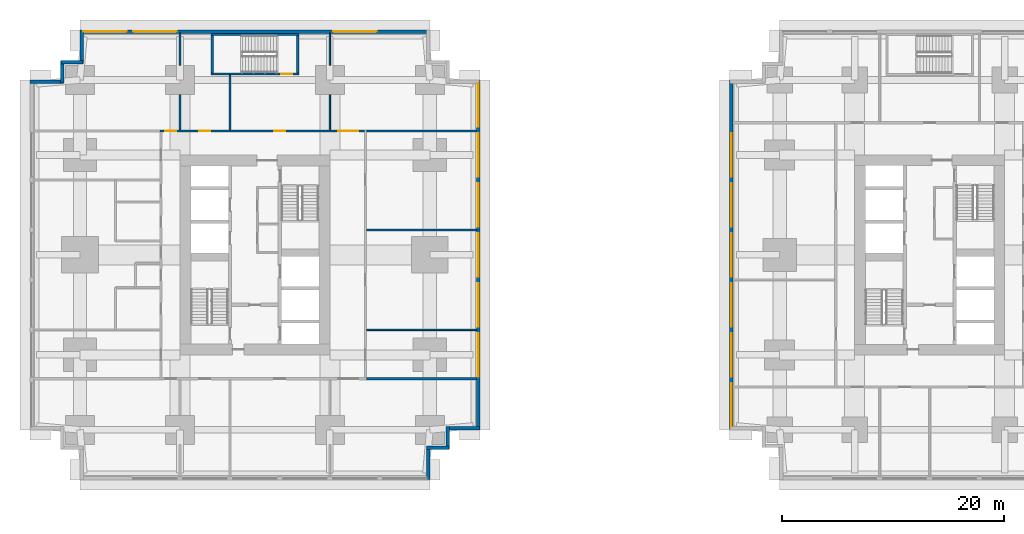
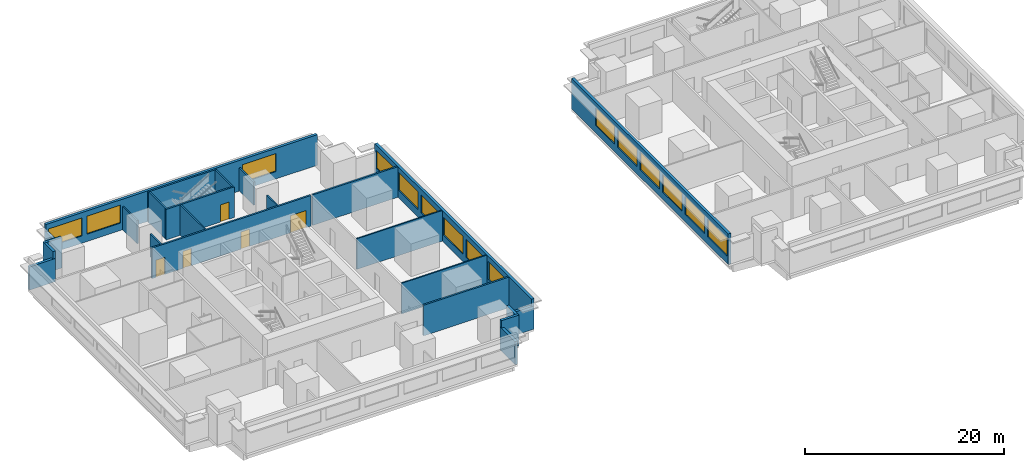
# One storey, part 5 of 11: 25 walls, 15 windows, 5 doors, 20 openings.
"""IFC4 building model written with IfcOpenShell, lengths in metres."""

from ifc_helpers import new_model, si_unit, direction, frame, frame_2d, origin, place, context, subcontext, project, spatial, rectangle, extrude, material, layer, layer_set, type_object, element, fill, save


model = new_model("IFC4")

# Units and contexts
model_context = context("Model", 3, precision=1e-05, world=origin(), true_north=direction((0.0, 1.0)))
body_context = subcontext(model_context, "Body", "Model", "MODEL_VIEW")
ifc_project = project(units=[si_unit("LENGTHUNIT", "METRE"), si_unit("AREAUNIT", "SQUARE_METRE"), si_unit("VOLUMEUNIT", "CUBIC_METRE"), si_unit("PLANEANGLEUNIT", "RADIAN"), si_unit("MASSUNIT", "GRAM", prefix="KILO")], contexts=[model_context])

# Site, building, storey
site_placement = place(None, origin())
site = spatial("IfcSite", under=ifc_project, at=site_placement, CompositionType="ELEMENT")
building_placement = place(site_placement, origin())
building = spatial("IfcBuilding", under=site, at=building_placement, Name="Namib Vertical Campus", CompositionType="ELEMENT")
storey_placement = place(building_placement, frame((0.0, 0.0, 37.0)))
storey = spatial("IfcBuildingStorey", under=building, at=storey_placement, Name="L08", CompositionType="ELEMENT", Elevation=37.0)

# Wall, openings, doors
ifc_material_1 = material(Name="Concrete masonry", Category="masonry")
ifc_layer_1 = layer(ifc_material_1, 0.199951171875)
ifc_layer_set_1 = layer_set([ifc_layer_1], Name="Corridor wall 200")
wall_type_1 = type_object("IfcWallType", Name="Corridor wall 200", PredefinedType="SOLIDWALL", material=ifc_layer_set_1)
wall_1_placement = place(storey_placement, frame((30.10009765625, 31.39990234375, 0.0), z_axis=(0.0, 0.0, 1.0), x_axis=(-1.0, 0.0, 0.0)))
wall_1 = element("IfcWall", 1, at=wall_1_placement, inside=storey, type_object=wall_type_1, Name="Corridor wall A L08 CN", PredefinedType="SOLIDWALL", context=body_context, shape_type="SweptSolid", body=[
    extrude(rectangle(XDim=18.400146484375, YDim=0.199951171875, at=frame_2d((9.2001953125, 0.0))), origin(), (0.0, 0.0, 1.0), 3.75),
])
opening_1_placement = place(wall_1_placement, frame((16.925048828125, 0.0, 0.0)))
opening_1 = element("IfcOpeningElement", 2, at=opening_1_placement, cuts=wall_1, Name="Opening CD1", PredefinedType="OPENING", context=body_context, shape_type="SweptSolid", body=[
    extrude(rectangle(XDim=1.0, YDim=2.10009765625, at=frame_2d((0.5, 1.050048828125))), frame((0.0, 0.10986328125, 0.0), z_axis=(0.0, -1.0, 0.0), x_axis=(1.0, 0.0, 0.0)), (0.0, 0.0, 1.0), 0.219970703125),
])
opening_2_placement = place(wall_1_placement, frame((13.85009765625, 0.0, 0.0)))
opening_2 = element("IfcOpeningElement", 3, at=opening_2_placement, cuts=wall_1, Name="Opening CD1", PredefinedType="OPENING", context=body_context, shape_type="SweptSolid", body=[
    extrude(rectangle(XDim=1.0, YDim=2.10009765625, at=frame_2d((0.5, 1.050048828125))), frame((0.0, 0.10986328125, 0.0), z_axis=(0.0, -1.0, 0.0), x_axis=(1.0, 0.0, 0.0)), (0.0, 0.0, 1.0), 0.219970703125),
])
opening_3_placement = place(wall_1_placement, frame((7.10009765625, 0.0, 0.0)))
opening_3 = element("IfcOpeningElement", 4, at=opening_3_placement, cuts=wall_1, Name="Opening CD4", PredefinedType="OPENING", context=body_context, shape_type="SweptSolid", body=[
    extrude(rectangle(XDim=1.0, YDim=2.10009765625, at=frame_2d((0.5, 1.050048828125))), frame((0.0, 0.10986328125, 0.0), z_axis=(0.0, -1.0, 0.0), x_axis=(1.0, 0.0, 0.0)), (0.0, 0.0, 1.0), 0.219970703125),
])
opening_4_placement = place(wall_1_placement, frame((0.550048828125, 0.0, 0.0)))
opening_4 = element("IfcOpeningElement", 5, at=opening_4_placement, cuts=wall_1, Name="Opening CD2", PredefinedType="OPENING", context=body_context, shape_type="SweptSolid", body=[
    extrude(rectangle(XDim=1.800048828125, YDim=2.10009765625, at=frame_2d((0.89990234375, 1.050048828125))), frame((0.0, 0.10986328125, 0.0), z_axis=(0.0, -1.0, 0.0), x_axis=(1.0, 0.0, 0.0)), (0.0, 0.0, 1.0), 0.219970703125),
])
ifc_material_2 = material(Name="Timber fire door leaf", Category="wood")
door_type_1 = type_object("IfcDoorType", Name="Corridor door 1000x2100 20 min", OperationType="SINGLE_SWING_LEFT", PredefinedType="DOOR", material=ifc_material_2)
door_1_placement = place(opening_1_placement, frame((1.0, 0.0, 0.0), z_axis=(0.0, 0.0, 1.0), x_axis=(-1.0, 0.0, 0.0)))
door_1 = element("IfcDoor", 6, at=door_1_placement, inside=storey, type_object=door_type_1, Name="Door CD1 A08-08", OperationType="SINGLE_SWING_RIGHT", OverallHeight=2.10009765625, OverallWidth=1.0, PredefinedType="DOOR", context=body_context, shape_type="SweptSolid", body=[
    extrude(rectangle(XDim=1.0, YDim=2.10009765625, at=frame_2d((0.5, 1.050048828125))), frame((0.0, 0.02490234375, 0.0), z_axis=(0.0, -1.0, 0.0), x_axis=(1.0, 0.0, 0.0)), (0.0, 0.0, 1.0), 0.050048828125),
])
fill(opening_1, door_1)
door_2_placement = place(opening_2_placement, frame((1.0, 0.0, 0.0), z_axis=(0.0, 0.0, 1.0), x_axis=(-1.0, 0.0, 0.0)))
door_2 = element("IfcDoor", 7, at=door_2_placement, inside=storey, type_object=door_type_1, Name="Door CD1 A08-09", OperationType="SINGLE_SWING_RIGHT", OverallHeight=2.10009765625, OverallWidth=1.0, PredefinedType="DOOR", context=body_context, shape_type="SweptSolid", body=[
    extrude(rectangle(XDim=1.0, YDim=2.10009765625, at=frame_2d((0.5, 1.050048828125))), frame((0.0, 0.02490234375, 0.0), z_axis=(0.0, -1.0, 0.0), x_axis=(1.0, 0.0, 0.0)), (0.0, 0.0, 1.0), 0.050048828125),
])
fill(opening_2, door_2)
ifc_material_3 = material(Name="Timber fire door leaf", Category="wood")
door_type_2 = type_object("IfcDoorType", Name="Corridor door 1000x2100 20 min double-acting", OperationType="DOUBLE_SWING_LEFT", PredefinedType="DOOR", material=ifc_material_3)
door_3_placement = place(opening_3_placement, origin())
door_3 = element("IfcDoor", 8, at=door_3_placement, inside=storey, type_object=door_type_2, Name="Door CD4 A08-10", OperationType="DOUBLE_SWING_LEFT", OverallHeight=2.10009765625, OverallWidth=1.0, PredefinedType="DOOR", context=body_context, shape_type="SweptSolid", body=[
    extrude(rectangle(XDim=1.0, YDim=2.10009765625, at=frame_2d((0.5, 1.050048828125))), frame((0.0, 0.02490234375, 0.0), z_axis=(0.0, -1.0, 0.0), x_axis=(1.0, 0.0, 0.0)), (0.0, 0.0, 1.0), 0.050048828125),
])
fill(opening_3, door_3)
ifc_material_4 = material(Name="Timber fire door leaf", Category="wood")
door_type_3 = type_object("IfcDoorType", Name="Corridor door double 1800x2100 20 min", OperationType="DOUBLE_DOOR_SINGLE_SWING", PredefinedType="DOOR", material=ifc_material_4)
door_4_placement = place(opening_4_placement, frame((1.800048828125, 0.0, 0.0), z_axis=(0.0, 0.0, 1.0), x_axis=(-1.0, 0.0, 0.0)))
door_4 = element("IfcDoor", 9, at=door_4_placement, inside=storey, type_object=door_type_3, Name="Door CD2 A08-11", OperationType="DOUBLE_DOOR_SINGLE_SWING", OverallHeight=2.10009765625, OverallWidth=1.800048828125, PredefinedType="DOOR", context=body_context, shape_type="SweptSolid", body=[
    extrude(rectangle(XDim=1.800048828125, YDim=2.10009765625, at=frame_2d((0.89990234375, 1.050048828125))), frame((0.0, 0.02490234375, 0.0), z_axis=(0.0, -1.0, 0.0), x_axis=(1.0, 0.0, 0.0)), (0.0, 0.0, 1.0), 0.050048828125),
])
fill(opening_4, door_4)

# Walls
for number, where, z_axis, x_axis, name in (
    (10, (30.300048828125, 9.10009765625, 0.0), (0.0, 0.0, 1.0), (1.0, 0.0, 0.0), "Partition A L08 BSE"),
    (11, (30.300048828125, 31.39990234375, 0.0), (0.0, 0.0, 1.0), (1.0, 0.0, 0.0), "Partition A L08 BNE"),
):
    element("IfcWall", number, at=place(storey_placement, frame(where, z_axis=z_axis, x_axis=x_axis)), inside=storey, type_object=wall_type_1, Name=name, PredefinedType="SOLIDWALL", context=body_context, shape_type="SweptSolid", body=[
        extrude(rectangle(XDim=9.89990234375, YDim=0.199951171875, at=frame_2d((4.949951171875, 0.0))), origin(), (0.0, 0.0, 1.0), 3.75),
    ])
ifc_material_5 = material(Name="Concrete C40/50", Category="concrete")
ifc_layer_2 = layer(ifc_material_5, 0.300048828125)
ifc_layer_set_2 = layer_set([ifc_layer_2], Name="Concrete C40/50")
wall_type_2 = type_object("IfcWallType", Name="External wall 300 board-marked concrete", PredefinedType="STANDARD", material=ifc_layer_set_2)
wall_2_placement = place(storey_placement, frame((35.85009765625, 0.02001953125, 0.0), z_axis=(0.0, 0.0, 1.0), x_axis=(0.0, 1.0, 0.0)))
element("IfcWall", 12, at=wall_2_placement, inside=storey, type_object=wall_type_2, Name="External wall L08 F02", PredefinedType="STANDARD", context=body_context, shape_type="SweptSolid", body=[
    extrude(rectangle(XDim=3.010009765625, YDim=0.300048828125, at=frame_2d((1.5048828125, 0.0))), origin(), (0.0, 0.0, 1.0), 2.85009765625),
])
for number, where, z_axis, x_axis, name in (
    (13, (35.719970703125, 2.89990234375, 0.0), (0.0, 0.0, 1.0), (1.0, 0.0, 0.0), "External wall L08 F03"),
    (14, (37.60009765625, 2.77001953125, 0.0), (0.0, 0.0, 1.0), (0.0, 1.0, 0.0), "External wall L08 F04"),
):
    element("IfcWall", number, at=place(storey_placement, frame(where, z_axis=z_axis, x_axis=x_axis)), inside=storey, type_object=wall_type_2, Name=name, PredefinedType="STANDARD", context=body_context, shape_type="SweptSolid", body=[
        extrude(rectangle(XDim=2.010009765625, YDim=0.300048828125, at=frame_2d((1.0048828125, 0.0))), origin(), (0.0, 0.0, 1.0), 3.75),
    ])
wall_3_placement = place(storey_placement, frame((37.469970703125, 4.64990234375, 0.0), z_axis=(0.0, 0.0, 1.0), x_axis=(1.0, 0.0, 0.0)))
element("IfcWall", 15, at=wall_3_placement, inside=storey, type_object=wall_type_2, Name="External wall L08 F05", PredefinedType="STANDARD", context=body_context, shape_type="SweptSolid", body=[
    extrude(rectangle(XDim=3.010009765625, YDim=0.300048828125, at=frame_2d((1.5048828125, 0.0))), origin(), (0.0, 0.0, 1.0), 2.85009765625),
])

# Wall, openings, windows
wall_4_placement = place(storey_placement, frame((40.35009765625, 4.52001953125, 0.0), z_axis=(0.0, 0.0, 1.0), x_axis=(0.0, 1.0, 0.0)))
wall_4 = element("IfcWall", 16, at=wall_4_placement, inside=storey, type_object=wall_type_2, Name="External wall L08 F06", PredefinedType="STANDARD", context=body_context, shape_type="SweptSolid", body=[
    extrude(rectangle(XDim=31.4599609375, YDim=0.300048828125, at=frame_2d((15.72998046875, 0.0))), origin(), (0.0, 0.0, 1.0), 3.75),
])
opening_5_placement = place(wall_4_placement, frame((4.780029296875, 0.0, 0.89990234375)))
opening_5 = element("IfcOpeningElement", 17, at=opening_5_placement, cuts=wall_4, Name="Opening W1", PredefinedType="OPENING", context=body_context, shape_type="SweptSolid", body=[
    extrude(rectangle(XDim=3.89990234375, YDim=2.199951171875, at=frame_2d((1.949951171875, 1.10009765625))), frame((0.0, 0.159912109375, 0.0), z_axis=(0.0, -1.0, 0.0), x_axis=(1.0, 0.0, 0.0)), (0.0, 0.0, 1.0), 0.320068359375),
])
opening_6_placement = place(wall_4_placement, frame((9.280029296875, 0.0, 0.89990234375)))
opening_6 = element("IfcOpeningElement", 18, at=opening_6_placement, cuts=wall_4, Name="Opening W1", PredefinedType="OPENING", context=body_context, shape_type="SweptSolid", body=[
    extrude(rectangle(XDim=3.89990234375, YDim=2.199951171875, at=frame_2d((1.949951171875, 1.10009765625))), frame((0.0, 0.159912109375, 0.0), z_axis=(0.0, -1.0, 0.0), x_axis=(1.0, 0.0, 0.0)), (0.0, 0.0, 1.0), 0.320068359375),
])
opening_7_placement = place(wall_4_placement, frame((13.780029296875, 0.0, 0.89990234375)))
opening_7 = element("IfcOpeningElement", 19, at=opening_7_placement, cuts=wall_4, Name="Opening W1", PredefinedType="OPENING", context=body_context, shape_type="SweptSolid", body=[
    extrude(rectangle(XDim=3.89990234375, YDim=2.199951171875, at=frame_2d((1.949951171875, 1.10009765625))), frame((0.0, 0.159912109375, 0.0), z_axis=(0.0, -1.0, 0.0), x_axis=(1.0, 0.0, 0.0)), (0.0, 0.0, 1.0), 0.320068359375),
])
opening_8_placement = place(wall_4_placement, frame((18.280029296875, 0.0, 0.89990234375)))
opening_8 = element("IfcOpeningElement", 20, at=opening_8_placement, cuts=wall_4, Name="Opening W1", PredefinedType="OPENING", context=body_context, shape_type="SweptSolid", body=[
    extrude(rectangle(XDim=3.89990234375, YDim=2.199951171875, at=frame_2d((1.949951171875, 1.10009765625))), frame((0.0, 0.159912109375, 0.0), z_axis=(0.0, -1.0, 0.0), x_axis=(1.0, 0.0, 0.0)), (0.0, 0.0, 1.0), 0.320068359375),
])
opening_9_placement = place(wall_4_placement, frame((22.780029296875, 0.0, 0.89990234375)))
opening_9 = element("IfcOpeningElement", 21, at=opening_9_placement, cuts=wall_4, Name="Opening W1", PredefinedType="OPENING", context=body_context, shape_type="SweptSolid", body=[
    extrude(rectangle(XDim=3.89990234375, YDim=2.199951171875, at=frame_2d((1.949951171875, 1.10009765625))), frame((0.0, 0.159912109375, 0.0), z_axis=(0.0, -1.0, 0.0), x_axis=(1.0, 0.0, 0.0)), (0.0, 0.0, 1.0), 0.320068359375),
])
opening_10_placement = place(wall_4_placement, frame((27.280029296875, 0.0, 0.89990234375)))
opening_10 = element("IfcOpeningElement", 22, at=opening_10_placement, cuts=wall_4, Name="Opening W1", PredefinedType="OPENING", context=body_context, shape_type="SweptSolid", body=[
    extrude(rectangle(XDim=3.89990234375, YDim=2.199951171875, at=frame_2d((1.949951171875, 1.10009765625))), frame((0.0, 0.159912109375, 0.0), z_axis=(0.0, -1.0, 0.0), x_axis=(1.0, 0.0, 0.0)), (0.0, 0.0, 1.0), 0.320068359375),
])
ifc_material_6 = material(Name="Dark tinted glass in black aluminium frame", Category="aluminium")
window_type = type_object("IfcWindowType", Name="Ribbon window 3900x2200", PartitioningType="SINGLE_PANEL", PredefinedType="WINDOW", material=ifc_material_6)
window_1_placement = place(opening_5_placement, origin())
window_1 = element("IfcWindow", 23, at=window_1_placement, inside=storey, type_object=window_type, Name="Window W1 L08 F06-2", OverallHeight=2.199951171875, OverallWidth=3.89990234375, PartitioningType="SINGLE_PANEL", PredefinedType="WINDOW", context=body_context, shape_type="SweptSolid", body=[
    extrude(rectangle(XDim=3.89990234375, YDim=2.199951171875, at=frame_2d((1.949951171875, 1.10009765625))), frame((0.0, 0.030029296875, 0.0), z_axis=(0.0, -1.0, 0.0), x_axis=(1.0, 0.0, 0.0)), (0.0, 0.0, 1.0), 0.06005859375),
])
fill(opening_5, window_1)
window_2_placement = place(opening_6_placement, origin())
window_2 = element("IfcWindow", 24, at=window_2_placement, inside=storey, type_object=window_type, Name="Window W1 L08 F06-3", OverallHeight=2.199951171875, OverallWidth=3.89990234375, PartitioningType="SINGLE_PANEL", PredefinedType="WINDOW", context=body_context, shape_type="SweptSolid", body=[
    extrude(rectangle(XDim=3.89990234375, YDim=2.199951171875, at=frame_2d((1.949951171875, 1.10009765625))), frame((0.0, 0.030029296875, 0.0), z_axis=(0.0, -1.0, 0.0), x_axis=(1.0, 0.0, 0.0)), (0.0, 0.0, 1.0), 0.06005859375),
])
fill(opening_6, window_2)
window_3_placement = place(opening_7_placement, origin())
window_3 = element("IfcWindow", 25, at=window_3_placement, inside=storey, type_object=window_type, Name="Window W1 L08 F06-4", OverallHeight=2.199951171875, OverallWidth=3.89990234375, PartitioningType="SINGLE_PANEL", PredefinedType="WINDOW", context=body_context, shape_type="SweptSolid", body=[
    extrude(rectangle(XDim=3.89990234375, YDim=2.199951171875, at=frame_2d((1.949951171875, 1.10009765625))), frame((0.0, 0.030029296875, 0.0), z_axis=(0.0, -1.0, 0.0), x_axis=(1.0, 0.0, 0.0)), (0.0, 0.0, 1.0), 0.06005859375),
])
fill(opening_7, window_3)
window_4_placement = place(opening_8_placement, origin())
window_4 = element("IfcWindow", 26, at=window_4_placement, inside=storey, type_object=window_type, Name="Window W1 L08 F06-5", OverallHeight=2.199951171875, OverallWidth=3.89990234375, PartitioningType="SINGLE_PANEL", PredefinedType="WINDOW", context=body_context, shape_type="SweptSolid", body=[
    extrude(rectangle(XDim=3.89990234375, YDim=2.199951171875, at=frame_2d((1.949951171875, 1.10009765625))), frame((0.0, 0.030029296875, 0.0), z_axis=(0.0, -1.0, 0.0), x_axis=(1.0, 0.0, 0.0)), (0.0, 0.0, 1.0), 0.06005859375),
])
fill(opening_8, window_4)
window_5_placement = place(opening_9_placement, origin())
window_5 = element("IfcWindow", 27, at=window_5_placement, inside=storey, type_object=window_type, Name="Window W1 L08 F06-6", OverallHeight=2.199951171875, OverallWidth=3.89990234375, PartitioningType="SINGLE_PANEL", PredefinedType="WINDOW", context=body_context, shape_type="SweptSolid", body=[
    extrude(rectangle(XDim=3.89990234375, YDim=2.199951171875, at=frame_2d((1.949951171875, 1.10009765625))), frame((0.0, 0.030029296875, 0.0), z_axis=(0.0, -1.0, 0.0), x_axis=(1.0, 0.0, 0.0)), (0.0, 0.0, 1.0), 0.06005859375),
])
fill(opening_9, window_5)
window_6_placement = place(opening_10_placement, origin())
window_6 = element("IfcWindow", 28, at=window_6_placement, inside=storey, type_object=window_type, Name="Window W1 L08 F06-7", OverallHeight=2.199951171875, OverallWidth=3.89990234375, PartitioningType="SINGLE_PANEL", PredefinedType="WINDOW", context=body_context, shape_type="SweptSolid", body=[
    extrude(rectangle(XDim=3.89990234375, YDim=2.199951171875, at=frame_2d((1.949951171875, 1.10009765625))), frame((0.0, 0.030029296875, 0.0), z_axis=(0.0, -1.0, 0.0), x_axis=(1.0, 0.0, 0.0)), (0.0, 0.0, 1.0), 0.06005859375),
])
fill(opening_10, window_6)

wall_5_placement = place(storey_placement, frame((35.97998046875, 40.35009765625, 0.0), z_axis=(0.0, 0.0, 1.0), x_axis=(-1.0, 0.0, 0.0)))
wall_5 = element("IfcWall", 29, at=wall_5_placement, inside=storey, type_object=wall_type_2, Name="External wall L08 F11", PredefinedType="STANDARD", context=body_context, shape_type="SweptSolid", body=[
    extrude(rectangle(XDim=31.4599609375, YDim=0.300048828125, at=frame_2d((15.72998046875, 0.0))), origin(), (0.0, 0.0, 1.0), 3.75),
])
opening_11_placement = place(wall_5_placement, frame((27.280029296875, 0.0, 0.89990234375)))
opening_11 = element("IfcOpeningElement", 30, at=opening_11_placement, cuts=wall_5, Name="Opening W1", PredefinedType="OPENING", context=body_context, shape_type="SweptSolid", body=[
    extrude(rectangle(XDim=3.89990234375, YDim=2.199951171875, at=frame_2d((1.949951171875, 1.10009765625))), frame((0.0, 0.159912109375, 0.0), z_axis=(0.0, -1.0, 0.0), x_axis=(1.0, 0.0, 0.0)), (0.0, 0.0, 1.0), 0.320068359375),
])
opening_12_placement = place(wall_5_placement, frame((22.780029296875, 0.0, 0.89990234375)))
opening_12 = element("IfcOpeningElement", 31, at=opening_12_placement, cuts=wall_5, Name="Opening W1", PredefinedType="OPENING", context=body_context, shape_type="SweptSolid", body=[
    extrude(rectangle(XDim=3.89990234375, YDim=2.199951171875, at=frame_2d((1.949951171875, 1.10009765625))), frame((0.0, 0.159912109375, 0.0), z_axis=(0.0, -1.0, 0.0), x_axis=(1.0, 0.0, 0.0)), (0.0, 0.0, 1.0), 0.320068359375),
])
opening_13_placement = place(wall_5_placement, frame((4.780029296875, 0.0, 0.89990234375)))
opening_13 = element("IfcOpeningElement", 32, at=opening_13_placement, cuts=wall_5, Name="Opening W1", PredefinedType="OPENING", context=body_context, shape_type="SweptSolid", body=[
    extrude(rectangle(XDim=3.89990234375, YDim=2.199951171875, at=frame_2d((1.949951171875, 1.10009765625))), frame((0.0, 0.159912109375, 0.0), z_axis=(0.0, -1.0, 0.0), x_axis=(1.0, 0.0, 0.0)), (0.0, 0.0, 1.0), 0.320068359375),
])
window_7_placement = place(opening_11_placement, origin())
window_7 = element("IfcWindow", 33, at=window_7_placement, inside=storey, type_object=window_type, Name="Window W1 L08 F11-1", OverallHeight=2.199951171875, OverallWidth=3.89990234375, PartitioningType="SINGLE_PANEL", PredefinedType="WINDOW", context=body_context, shape_type="SweptSolid", body=[
    extrude(rectangle(XDim=3.89990234375, YDim=2.199951171875, at=frame_2d((1.949951171875, 1.10009765625))), frame((0.0, 0.030029296875, 0.0), z_axis=(0.0, -1.0, 0.0), x_axis=(1.0, 0.0, 0.0)), (0.0, 0.0, 1.0), 0.06005859375),
])
fill(opening_11, window_7)
window_8_placement = place(opening_12_placement, origin())
window_8 = element("IfcWindow", 34, at=window_8_placement, inside=storey, type_object=window_type, Name="Window W1 L08 F11-2", OverallHeight=2.199951171875, OverallWidth=3.89990234375, PartitioningType="SINGLE_PANEL", PredefinedType="WINDOW", context=body_context, shape_type="SweptSolid", body=[
    extrude(rectangle(XDim=3.89990234375, YDim=2.199951171875, at=frame_2d((1.949951171875, 1.10009765625))), frame((0.0, 0.030029296875, 0.0), z_axis=(0.0, -1.0, 0.0), x_axis=(1.0, 0.0, 0.0)), (0.0, 0.0, 1.0), 0.06005859375),
])
fill(opening_12, window_8)
window_9_placement = place(opening_13_placement, origin())
window_9 = element("IfcWindow", 35, at=window_9_placement, inside=storey, type_object=window_type, Name="Window W1 L08 F11-6", OverallHeight=2.199951171875, OverallWidth=3.89990234375, PartitioningType="SINGLE_PANEL", PredefinedType="WINDOW", context=body_context, shape_type="SweptSolid", body=[
    extrude(rectangle(XDim=3.89990234375, YDim=2.199951171875, at=frame_2d((1.949951171875, 1.10009765625))), frame((0.0, 0.030029296875, 0.0), z_axis=(0.0, -1.0, 0.0), x_axis=(1.0, 0.0, 0.0)), (0.0, 0.0, 1.0), 0.06005859375),
])
fill(opening_13, window_9)

# Walls
wall_6_placement = place(storey_placement, frame((4.64990234375, 40.47998046875, 0.0), z_axis=(0.0, 0.0, 1.0), x_axis=(0.0, -1.0, 0.0)))
element("IfcWall", 36, at=wall_6_placement, inside=storey, type_object=wall_type_2, Name="External wall L08 F12", PredefinedType="STANDARD", context=body_context, shape_type="SweptSolid", body=[
    extrude(rectangle(XDim=3.010009765625, YDim=0.300048828125, at=frame_2d((1.5048828125, 0.0))), origin(), (0.0, 0.0, 1.0), 2.85009765625),
])
for number, where, z_axis, x_axis, name in (
    (37, (4.780029296875, 37.60009765625, 0.0), (0.0, 0.0, 1.0), (-1.0, 0.0, 0.0), "External wall L08 F13"),
    (38, (2.89990234375, 37.72998046875, 0.0), (0.0, 0.0, 1.0), (0.0, -1.0, 0.0), "External wall L08 F14"),
):
    element("IfcWall", number, at=place(storey_placement, frame(where, z_axis=z_axis, x_axis=x_axis)), inside=storey, type_object=wall_type_2, Name=name, PredefinedType="STANDARD", context=body_context, shape_type="SweptSolid", body=[
        extrude(rectangle(XDim=2.010009765625, YDim=0.300048828125, at=frame_2d((1.0048828125, 0.0))), origin(), (0.0, 0.0, 1.0), 3.75),
    ])
wall_7_placement = place(storey_placement, frame((3.030029296875, 35.85009765625, 0.0), z_axis=(0.0, 0.0, 1.0), x_axis=(-1.0, 0.0, 0.0)))
element("IfcWall", 39, at=wall_7_placement, inside=storey, type_object=wall_type_2, Name="External wall L08 F15", PredefinedType="STANDARD", context=body_context, shape_type="SweptSolid", body=[
    extrude(rectangle(XDim=3.010009765625, YDim=0.300048828125, at=frame_2d((1.5048828125, 0.0))), origin(), (0.0, 0.0, 1.0), 2.85009765625),
])

# Wall, openings, windows
wall_8_placement = place(storey_placement, frame((63.14990234375, 35.97998046875, 0.0), z_axis=(0.0, 0.0, 1.0), x_axis=(0.0, -1.0, 0.0)))
wall_8 = element("IfcWall", 40, at=wall_8_placement, inside=storey, type_object=wall_type_2, Name="External wall L08 F16", PredefinedType="STANDARD", context=body_context, shape_type="SweptSolid", body=[
    extrude(rectangle(XDim=31.4599609375, YDim=0.300048828125, at=frame_2d((15.72998046875, 0.0))), origin(), (0.0, 0.0, 1.0), 3.75),
])
opening_14_placement = place(wall_8_placement, frame((27.280029296875, 0.0, 0.89990234375)))
opening_14 = element("IfcOpeningElement", 41, at=opening_14_placement, cuts=wall_8, Name="Opening W1", PredefinedType="OPENING", context=body_context, shape_type="SweptSolid", body=[
    extrude(rectangle(XDim=3.89990234375, YDim=2.199951171875, at=frame_2d((1.949951171875, 1.10009765625))), frame((0.0, 0.159912109375, 0.0), z_axis=(0.0, -1.0, 0.0), x_axis=(1.0, 0.0, 0.0)), (0.0, 0.0, 1.0), 0.320068359375),
])
opening_15_placement = place(wall_8_placement, frame((22.780029296875, 0.0, 0.89990234375)))
opening_15 = element("IfcOpeningElement", 42, at=opening_15_placement, cuts=wall_8, Name="Opening W1", PredefinedType="OPENING", context=body_context, shape_type="SweptSolid", body=[
    extrude(rectangle(XDim=3.89990234375, YDim=2.199951171875, at=frame_2d((1.949951171875, 1.10009765625))), frame((0.0, 0.159912109375, 0.0), z_axis=(0.0, -1.0, 0.0), x_axis=(1.0, 0.0, 0.0)), (0.0, 0.0, 1.0), 0.320068359375),
])
opening_16_placement = place(wall_8_placement, frame((18.280029296875, 0.0, 0.89990234375)))
opening_16 = element("IfcOpeningElement", 43, at=opening_16_placement, cuts=wall_8, Name="Opening W1", PredefinedType="OPENING", context=body_context, shape_type="SweptSolid", body=[
    extrude(rectangle(XDim=3.89990234375, YDim=2.199951171875, at=frame_2d((1.949951171875, 1.10009765625))), frame((0.0, 0.159912109375, 0.0), z_axis=(0.0, -1.0, 0.0), x_axis=(1.0, 0.0, 0.0)), (0.0, 0.0, 1.0), 0.320068359375),
])
opening_17_placement = place(wall_8_placement, frame((13.780029296875, 0.0, 0.89990234375)))
opening_17 = element("IfcOpeningElement", 44, at=opening_17_placement, cuts=wall_8, Name="Opening W1", PredefinedType="OPENING", context=body_context, shape_type="SweptSolid", body=[
    extrude(rectangle(XDim=3.89990234375, YDim=2.199951171875, at=frame_2d((1.949951171875, 1.10009765625))), frame((0.0, 0.159912109375, 0.0), z_axis=(0.0, -1.0, 0.0), x_axis=(1.0, 0.0, 0.0)), (0.0, 0.0, 1.0), 0.320068359375),
])
opening_18_placement = place(wall_8_placement, frame((9.280029296875, 0.0, 0.89990234375)))
opening_18 = element("IfcOpeningElement", 45, at=opening_18_placement, cuts=wall_8, Name="Opening W1", PredefinedType="OPENING", context=body_context, shape_type="SweptSolid", body=[
    extrude(rectangle(XDim=3.89990234375, YDim=2.199951171875, at=frame_2d((1.949951171875, 1.10009765625))), frame((0.0, 0.159912109375, 0.0), z_axis=(0.0, -1.0, 0.0), x_axis=(1.0, 0.0, 0.0)), (0.0, 0.0, 1.0), 0.320068359375),
])
opening_19_placement = place(wall_8_placement, frame((4.780029296875, 0.0, 0.89990234375)))
opening_19 = element("IfcOpeningElement", 46, at=opening_19_placement, cuts=wall_8, Name="Opening W1", PredefinedType="OPENING", context=body_context, shape_type="SweptSolid", body=[
    extrude(rectangle(XDim=3.89990234375, YDim=2.199951171875, at=frame_2d((1.949951171875, 1.10009765625))), frame((0.0, 0.159912109375, 0.0), z_axis=(0.0, -1.0, 0.0), x_axis=(1.0, 0.0, 0.0)), (0.0, 0.0, 1.0), 0.320068359375),
])
window_10_placement = place(opening_14_placement, origin())
window_10 = element("IfcWindow", 47, at=window_10_placement, inside=storey, type_object=window_type, Name="Window W1 L08 F16-1", OverallHeight=2.199951171875, OverallWidth=3.89990234375, PartitioningType="SINGLE_PANEL", PredefinedType="WINDOW", context=body_context, shape_type="SweptSolid", body=[
    extrude(rectangle(XDim=3.89990234375, YDim=2.199951171875, at=frame_2d((1.949951171875, 1.10009765625))), frame((0.0, 0.030029296875, 0.0), z_axis=(0.0, -1.0, 0.0), x_axis=(1.0, 0.0, 0.0)), (0.0, 0.0, 1.0), 0.06005859375),
])
fill(opening_14, window_10)
window_11_placement = place(opening_15_placement, origin())
window_11 = element("IfcWindow", 48, at=window_11_placement, inside=storey, type_object=window_type, Name="Window W1 L08 F16-2", OverallHeight=2.199951171875, OverallWidth=3.89990234375, PartitioningType="SINGLE_PANEL", PredefinedType="WINDOW", context=body_context, shape_type="SweptSolid", body=[
    extrude(rectangle(XDim=3.89990234375, YDim=2.199951171875, at=frame_2d((1.949951171875, 1.10009765625))), frame((0.0, 0.030029296875, 0.0), z_axis=(0.0, -1.0, 0.0), x_axis=(1.0, 0.0, 0.0)), (0.0, 0.0, 1.0), 0.06005859375),
])
fill(opening_15, window_11)
window_12_placement = place(opening_16_placement, origin())
window_12 = element("IfcWindow", 49, at=window_12_placement, inside=storey, type_object=window_type, Name="Window W1 L08 F16-3", OverallHeight=2.199951171875, OverallWidth=3.89990234375, PartitioningType="SINGLE_PANEL", PredefinedType="WINDOW", context=body_context, shape_type="SweptSolid", body=[
    extrude(rectangle(XDim=3.89990234375, YDim=2.199951171875, at=frame_2d((1.949951171875, 1.10009765625))), frame((0.0, 0.030029296875, 0.0), z_axis=(0.0, -1.0, 0.0), x_axis=(1.0, 0.0, 0.0)), (0.0, 0.0, 1.0), 0.06005859375),
])
fill(opening_16, window_12)
window_13_placement = place(opening_17_placement, origin())
window_13 = element("IfcWindow", 50, at=window_13_placement, inside=storey, type_object=window_type, Name="Window W1 L08 F16-4", OverallHeight=2.199951171875, OverallWidth=3.89990234375, PartitioningType="SINGLE_PANEL", PredefinedType="WINDOW", context=body_context, shape_type="SweptSolid", body=[
    extrude(rectangle(XDim=3.89990234375, YDim=2.199951171875, at=frame_2d((1.949951171875, 1.10009765625))), frame((0.0, 0.030029296875, 0.0), z_axis=(0.0, -1.0, 0.0), x_axis=(1.0, 0.0, 0.0)), (0.0, 0.0, 1.0), 0.06005859375),
])
fill(opening_17, window_13)
window_14_placement = place(opening_18_placement, origin())
window_14 = element("IfcWindow", 51, at=window_14_placement, inside=storey, type_object=window_type, Name="Window W1 L08 F16-5", OverallHeight=2.199951171875, OverallWidth=3.89990234375, PartitioningType="SINGLE_PANEL", PredefinedType="WINDOW", context=body_context, shape_type="SweptSolid", body=[
    extrude(rectangle(XDim=3.89990234375, YDim=2.199951171875, at=frame_2d((1.949951171875, 1.10009765625))), frame((0.0, 0.030029296875, 0.0), z_axis=(0.0, -1.0, 0.0), x_axis=(1.0, 0.0, 0.0)), (0.0, 0.0, 1.0), 0.06005859375),
])
fill(opening_18, window_14)
window_15_placement = place(opening_19_placement, origin())
window_15 = element("IfcWindow", 52, at=window_15_placement, inside=storey, type_object=window_type, Name="Window W1 L08 F16-6", OverallHeight=2.199951171875, OverallWidth=3.89990234375, PartitioningType="SINGLE_PANEL", PredefinedType="WINDOW", context=body_context, shape_type="SweptSolid", body=[
    extrude(rectangle(XDim=3.89990234375, YDim=2.199951171875, at=frame_2d((1.949951171875, 1.10009765625))), frame((0.0, 0.030029296875, 0.0), z_axis=(0.0, -1.0, 0.0), x_axis=(1.0, 0.0, 0.0)), (0.0, 0.0, 1.0), 0.06005859375),
])
fill(opening_19, window_15)

# Walls
ifc_material_7 = material(Name="Gypsum board on steel studs", Category="steel")
ifc_layer_3 = layer(ifc_material_7, 0.14990234375)
ifc_layer_set_3 = layer_set([ifc_layer_3], Name="Gypsum board on steel studs")
wall_type_3 = type_object("IfcWallType", Name="Partition 150", PredefinedType="PARTITIONING", material=ifc_layer_set_3)
wall_9_placement = place(storey_placement, frame((13.5, 31.5, 0.0), z_axis=(0.0, 0.0, 1.0), x_axis=(0.0, 1.0, 0.0)))
element("IfcWall", 53, at=wall_9_placement, inside=storey, type_object=wall_type_3, Name="Partition A L08 PN1", PredefinedType="PARTITIONING", context=body_context, shape_type="SweptSolid", body=[
    extrude(rectangle(XDim=3.179931640625, YDim=0.14990234375, at=frame_2d((1.58984375, 0.0))), origin(), (0.0, 0.0, 1.0), 2.85009765625),
])
wall_10_placement = place(storey_placement, frame((13.5, 37.320068359375, 0.0), z_axis=(0.0, 0.0, 1.0), x_axis=(0.0, 1.0, 0.0)))
element("IfcWall", 54, at=wall_10_placement, inside=storey, type_object=wall_type_3, Name="Partition A L08 PN1", PredefinedType="PARTITIONING", context=body_context, shape_type="SweptSolid", body=[
    extrude(rectangle(XDim=2.8798828125, YDim=0.14990234375, at=frame_2d((1.43994140625, 0.0))), origin(), (0.0, 0.0, 1.0), 2.85009765625),
])
wall_11_placement = place(storey_placement, frame((18.0, 31.5, 0.0), z_axis=(0.0, 0.0, 1.0), x_axis=(0.0, 1.0, 0.0)))
element("IfcWall", 55, at=wall_11_placement, inside=storey, type_object=wall_type_3, Name="Partition A L08 PN2", PredefinedType="PARTITIONING", context=body_context, shape_type="SweptSolid", body=[
    extrude(rectangle(XDim=4.949951171875, YDim=0.14990234375, at=frame_2d((2.47509765625, 0.0))), origin(), (0.0, 0.0, 1.0), 3.75),
])
wall_12_placement = place(storey_placement, frame((27.0, 31.5, 0.0), z_axis=(0.0, 0.0, 1.0), x_axis=(0.0, 1.0, 0.0)))
element("IfcWall", 56, at=wall_12_placement, inside=storey, type_object=wall_type_3, Name="Partition A L08 PN3", PredefinedType="PARTITIONING", context=body_context, shape_type="SweptSolid", body=[
    extrude(rectangle(XDim=3.179931640625, YDim=0.14990234375, at=frame_2d((1.58984375, 0.0))), origin(), (0.0, 0.0, 1.0), 2.85009765625),
])
wall_13_placement = place(storey_placement, frame((27.0, 37.320068359375, 0.0), z_axis=(0.0, 0.0, 1.0), x_axis=(0.0, 1.0, 0.0)))
element("IfcWall", 57, at=wall_13_placement, inside=storey, type_object=wall_type_3, Name="Partition A L08 PN3", PredefinedType="PARTITIONING", context=body_context, shape_type="SweptSolid", body=[
    extrude(rectangle(XDim=2.8798828125, YDim=0.14990234375, at=frame_2d((1.43994140625, 0.0))), origin(), (0.0, 0.0, 1.0), 2.85009765625),
])
for number, where, z_axis, x_axis, name in (
    (58, (30.300048828125, 13.5, 0.0), (0.0, 0.0, 1.0), (1.0, 0.0, 0.0), "Partition A L08 PE1"),
    (59, (30.300048828125, 22.5, 0.0), (0.0, 0.0, 1.0), (1.0, 0.0, 0.0), "Partition A L08 PE2"),
):
    element("IfcWall", number, at=place(storey_placement, frame(where, z_axis=z_axis, x_axis=x_axis)), inside=storey, type_object=wall_type_3, Name=name, PredefinedType="PARTITIONING", context=body_context, shape_type="SweptSolid", body=[
        extrude(rectangle(XDim=9.89990234375, YDim=0.14990234375, at=frame_2d((4.949951171875, 0.0))), origin(), (0.0, 0.0, 1.0), 3.75),
    ])

# Wall, opening, door
ifc_material_8 = material(Name="Concrete C40/50", Category="concrete")
ifc_layer_4 = layer(ifc_material_8, 0.199951171875)
ifc_layer_set_4 = layer_set([ifc_layer_4], Name="Concrete C40/50")
wall_type_4 = type_object("IfcWallType", Name="Stair enclosure wall RC 200", PredefinedType="SOLIDWALL", material=ifc_layer_set_4)
wall_14_placement = place(storey_placement, frame((16.300048828125, 36.550048828125, 0.0), z_axis=(0.0, 0.0, 1.0), x_axis=(1.0, 0.0, 0.0)))
wall_14 = element("IfcWall", 60, at=wall_14_placement, inside=storey, type_object=wall_type_4, Name="Stair enclosure wall A-S3 L08 S", PredefinedType="SOLIDWALL", context=body_context, shape_type="SweptSolid", body=[
    extrude(rectangle(XDim=7.89990234375, YDim=0.199951171875, at=frame_2d((3.949951171875, 0.0))), origin(), (0.0, 0.0, 1.0), 3.75),
])
opening_20_placement = place(wall_14_placement, frame((6.300048828125, 0.0, 0.0)))
opening_20 = element("IfcOpeningElement", 61, at=opening_20_placement, cuts=wall_14, Name="Opening FD1", PredefinedType="OPENING", context=body_context, shape_type="SweptSolid", body=[
    extrude(rectangle(XDim=1.0, YDim=2.10009765625, at=frame_2d((0.5, 1.050048828125))), frame((0.0, 0.10986328125, 0.0), z_axis=(0.0, -1.0, 0.0), x_axis=(1.0, 0.0, 0.0)), (0.0, 0.0, 1.0), 0.219970703125),
])
ifc_material_9 = material(Name="Steel fire door", Category="steel")
door_type_4 = type_object("IfcDoorType", Name="Fire door 1000x2100", OperationType="SINGLE_SWING_RIGHT", PredefinedType="DOOR", material=ifc_material_9)
door_5_placement = place(opening_20_placement, origin())
door_5 = element("IfcDoor", 62, at=door_5_placement, inside=storey, type_object=door_type_4, Name="Stair door FD1 A L08 S3", OperationType="SINGLE_SWING_RIGHT", OverallHeight=2.10009765625, OverallWidth=1.0, PredefinedType="DOOR", context=body_context, shape_type="SweptSolid", body=[
    extrude(rectangle(XDim=1.0, YDim=2.10009765625, at=frame_2d((0.5, 1.050048828125))), frame((0.0, 0.02490234375, 0.0), z_axis=(0.0, -1.0, 0.0), x_axis=(1.0, 0.0, 0.0)), (0.0, 0.0, 1.0), 0.050048828125),
])
fill(opening_20, door_5)

# Walls
wall_15_placement = place(storey_placement, frame((16.300048828125, 40.10009765625, 0.0), z_axis=(0.0, 0.0, 1.0), x_axis=(1.0, 0.0, 0.0)))
element("IfcWall", 63, at=wall_15_placement, inside=storey, type_object=wall_type_4, Name="Stair enclosure wall A-S3 L08 N", PredefinedType="SOLIDWALL", context=body_context, shape_type="SweptSolid", body=[
    extrude(rectangle(XDim=7.89990234375, YDim=0.199951171875, at=frame_2d((3.949951171875, 0.0))), origin(), (0.0, 0.0, 1.0), 3.75),
])
for number, where, z_axis, x_axis, name in (
    (64, (16.39990234375, 36.64990234375, 0.0), (0.0, 0.0, 1.0), (0.0, 1.0, 0.0), "Stair enclosure wall A-S3 L08 W"),
    (65, (24.10009765625, 36.64990234375, 0.0), (0.0, 0.0, 1.0), (0.0, 1.0, 0.0), "Stair enclosure wall A-S3 L08 E"),
):
    element("IfcWall", number, at=place(storey_placement, frame(where, z_axis=z_axis, x_axis=x_axis)), inside=storey, type_object=wall_type_4, Name=name, PredefinedType="SOLIDWALL", context=body_context, shape_type="SweptSolid", body=[
        extrude(rectangle(XDim=3.35009765625, YDim=0.199951171875, at=frame_2d((1.675048828125, 0.0))), origin(), (0.0, 0.0, 1.0), 3.75),
    ])

save(model, "model.ifc")
